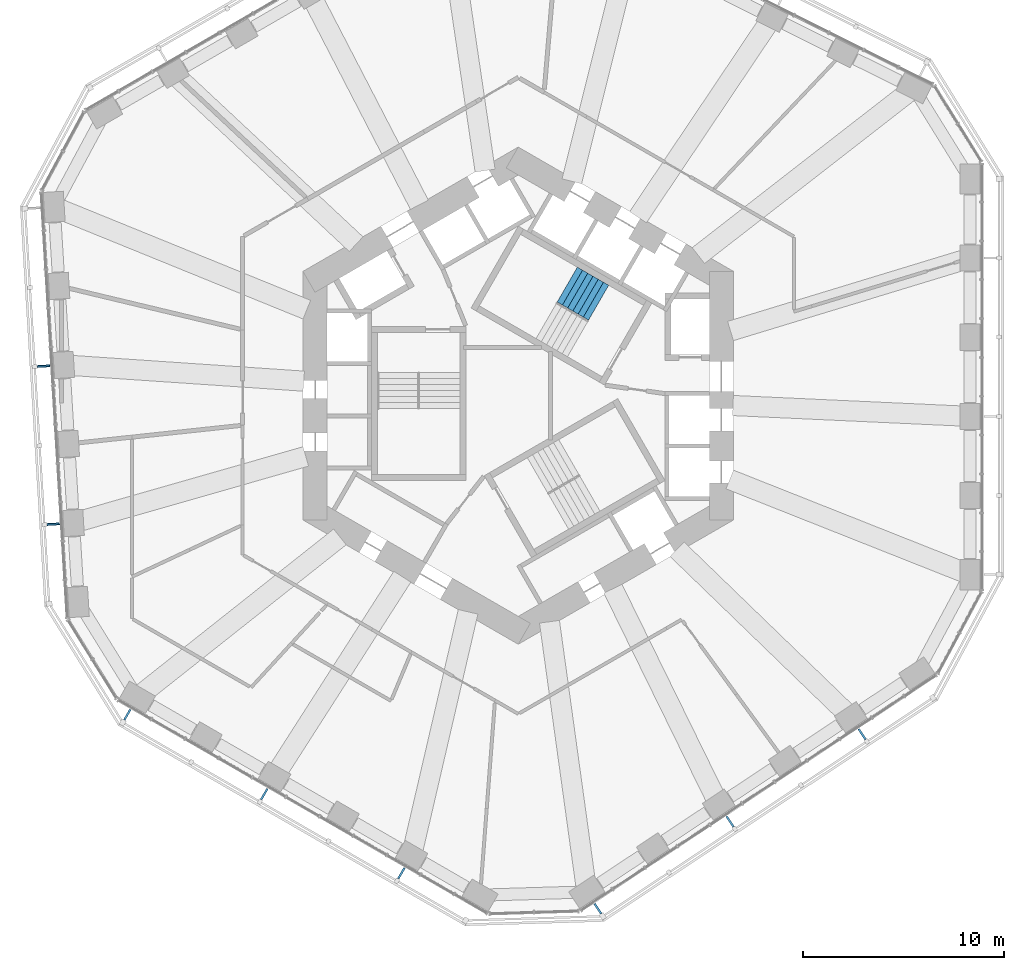
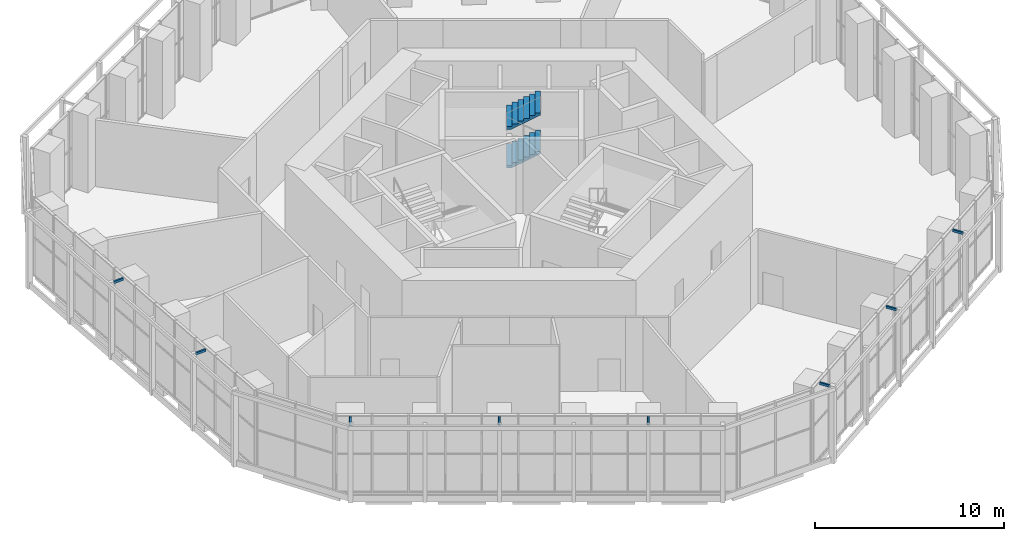
# One storey, part 17 of 19: 8 discrete accessories, 2 stair flights, 1 element without a shape of its own.
"""IFC4 building model written with IfcOpenShell, lengths in metres."""

from ifc_helpers import new_model, si_unit, direction, frame, origin, origin_2d, place, context, subcontext, project, spatial, rectangle, extrude, triangles, source, transform, mapped, material, type_object, element, aggregate, save


model = new_model("IFC4")

# Units and contexts
model_context = context("Model", 3, precision=1e-05, world=origin(), true_north=direction((0.0, 1.0)))
body_context = subcontext(model_context, "Body", "Model", "MODEL_VIEW")
ifc_project = project(units=[si_unit("LENGTHUNIT", "METRE"), si_unit("AREAUNIT", "SQUARE_METRE"), si_unit("VOLUMEUNIT", "CUBIC_METRE"), si_unit("PLANEANGLEUNIT", "RADIAN"), si_unit("MASSUNIT", "GRAM", prefix="KILO")], contexts=[model_context])

# Site, building, storey
site_placement = place(None, origin())
site = spatial("IfcSite", under=ifc_project, at=site_placement, CompositionType="ELEMENT")
building_placement = place(site_placement, origin())
building = spatial("IfcBuilding", under=site, at=building_placement, Name="Vanh Sen Convention Tower", CompositionType="ELEMENT")
storey_placement = place(building_placement, frame((0.0, 0.0, 39.0)))
storey = spatial("IfcBuildingStorey", under=building, at=storey_placement, Name="L06", CompositionType="ELEMENT", Elevation=39.0)

# Stair, stair flights
ifc_material_1 = material(Name="Concrete C50/60", Category="concrete")
stair_type = type_object("IfcStairType", Name="Exit stair ST1 28 risers at 178.6", PredefinedType="HALF_TURN_STAIR", material=ifc_material_1)
stair_placement = place(storey_placement, origin())
stair = element("IfcStair", 1, at=stair_placement, inside=storey, type_object=stair_type, Name="Exit stair ST1 L06", PredefinedType="HALF_TURN_STAIR")
ifc_material_2 = material(Name="Concrete C40/50", Category="concrete")
stair_flight_type = type_object("IfcStairFlightType", Name="Stair flight 2000", PredefinedType="STRAIGHT", material=ifc_material_2)
shared_shape = source(origin(), body_context, "Body", "Tessellation", [
    triangles([(0.244384765625, 1.0, 0.0), (0.0, 1.0, 0.0), (0.0, 1.0, 0.178466796875), (0.300048828125, 1.0, 0.178466796875), (0.300048828125, 1.0, 0.357177734375), (0.60009765625, 1.0, 0.357177734375), (0.60009765625, 1.0, 0.53564453125), (0.89990234375, 1.0, 0.53564453125), (0.89990234375, 1.0, 0.71435546875), (1.199951171875, 1.0, 0.71435546875), (1.199951171875, 1.0, 0.892822265625), (1.5, 1.0, 0.892822265625), (1.5, 1.0, 1.071533203125), (1.800048828125, 1.0, 1.071533203125), (1.800048828125, 1.0, 0.926025390625), (0.244384765625, -1.0, 0.0), (0.0, -1.0, 0.0), (0.0, -1.0, 0.178466796875), (0.300048828125, -1.0, 0.178466796875), (0.300048828125, -1.0, 0.357177734375), (0.60009765625, -1.0, 0.357177734375), (0.60009765625, -1.0, 0.53564453125), (0.89990234375, -1.0, 0.53564453125), (0.89990234375, -1.0, 0.71435546875), (1.199951171875, -1.0, 0.71435546875), (1.199951171875, -1.0, 0.892822265625), (1.5, -1.0, 0.892822265625), (1.5, -1.0, 1.071533203125), (1.800048828125, -1.0, 1.071533203125), (1.800048828125, -1.0, 0.926025390625), (0.0, 0.0400390625, 0.0), (0.0, 0.0390625, 0.0), (0.0, 0.0380859375, 0.0), (0.0, 0.037109375, 0.0), (0.0, 0.035888671875, 0.0), (0.0, 0.034912109375, 0.0), (0.0, 0.033935546875, 0.0), (0.0, 0.032958984375, 0.0), (0.0, 0.031982421875, 0.0), (0.0, 0.031005859375, 0.0), (0.0, 0.030029296875, 0.0), (0.0, 0.029052734375, 0.0), (0.0, 0.028076171875, 0.0), (0.0, 0.027099609375, 0.0), (0.0, 0.02587890625, 0.0), (0.0, 0.02490234375, 0.0), (0.0, 0.02392578125, 0.0), (0.0, 0.02294921875, 0.0), (0.0, 0.02197265625, 0.0), (0.0, 0.02099609375, 0.0), (0.0, 0.02001953125, 0.0), (0.0, 0.01904296875, 0.0), (0.0, 0.01806640625, 0.0), (0.0, 0.01708984375, 0.0), (0.0, 0.01611328125, 0.0), (0.0, 0.014892578125, 0.0), (0.0, 0.013916015625, 0.0), (0.0, 0.012939453125, 0.0), (0.0, 0.011962890625, 0.0), (0.0, 0.010986328125, 0.0), (0.0, 0.010009765625, 0.0), (0.0, 0.009033203125, 0.0), (0.0, 0.008056640625, 0.0), (0.0, 0.007080078125, 0.0), (0.0, 0.006103515625, 0.0), (0.0, 0.0048828125, 0.0), (0.0, 0.00390625, 0.0), (0.0, 0.0029296875, 0.0), (0.0, 0.001953125, 0.0), (0.0, 0.0009765625, 0.0), (0.0, 0.0, 0.0), (0.0, -0.0009765625, 0.0), (0.0, -0.001953125, 0.0), (0.0, -0.0029296875, 0.0), (0.0, -0.00390625, 0.0), (0.0, -0.0048828125, 0.0), (0.0, -0.006103515625, 0.0), (0.0, -0.007080078125, 0.0), (0.0, -0.008056640625, 0.0), (0.0, -0.009033203125, 0.0), (0.0, -0.010009765625, 0.0), (0.0, -0.010986328125, 0.0), (0.0, -0.011962890625, 0.0), (0.0, -0.012939453125, 0.0), (0.0, -0.013916015625, 0.0), (0.0, -0.014892578125, 0.0), (0.0, -0.01611328125, 0.0), (0.0, -0.01708984375, 0.0), (0.0, -0.01806640625, 0.0), (0.0, -0.01904296875, 0.0), (0.0, -0.02001953125, 0.0), (0.0, -0.02099609375, 0.0), (0.0, -0.02197265625, 0.0), (0.0, -0.02294921875, 0.0), (0.0, -0.02392578125, 0.0), (0.0, -0.02490234375, 0.0), (0.0, -0.02587890625, 0.0), (0.0, -0.027099609375, 0.0), (0.0, -0.028076171875, 0.0), (0.0, -0.029052734375, 0.0), (0.0, -0.030029296875, 0.0), (0.0, -0.031005859375, 0.0), (0.0, -0.031982421875, 0.0), (0.0, -0.032958984375, 0.0), (0.0, -0.033935546875, 0.0), (0.0, -0.034912109375, 0.0), (0.0, -0.035888671875, 0.0), (0.0, -0.037109375, 0.0), (0.0, -0.0380859375, 0.0), (0.0, -0.0390625, 0.0), (0.0, -0.0400390625, 0.0), (0.0, 0.0400390625, 0.178466796875), (0.0, 0.0390625, 0.178466796875), (0.0, 0.0380859375, 0.178466796875), (0.0, 0.037109375, 0.178466796875), (0.0, 0.035888671875, 0.178466796875), (0.0, 0.034912109375, 0.178466796875), (0.0, 0.033935546875, 0.178466796875), (0.0, 0.032958984375, 0.178466796875), (0.0, 0.031982421875, 0.178466796875), (0.0, 0.031005859375, 0.178466796875), (0.0, 0.030029296875, 0.178466796875), (0.0, 0.029052734375, 0.178466796875), (0.0, 0.028076171875, 0.178466796875), (0.0, 0.027099609375, 0.178466796875), (0.0, 0.02587890625, 0.178466796875), (0.0, 0.02490234375, 0.178466796875), (0.0, 0.02392578125, 0.178466796875), (0.0, 0.02294921875, 0.178466796875), (0.0, 0.02197265625, 0.178466796875), (0.0, 0.02099609375, 0.178466796875), (0.0, 0.02001953125, 0.178466796875), (0.0, 0.01904296875, 0.178466796875), (0.0, 0.01806640625, 0.178466796875), (0.0, 0.01708984375, 0.178466796875), (0.0, 0.01611328125, 0.178466796875), (0.0, 0.014892578125, 0.178466796875), (0.0, 0.013916015625, 0.178466796875), (0.0, 0.012939453125, 0.178466796875), (0.0, 0.011962890625, 0.178466796875), (0.0, 0.010986328125, 0.178466796875), (0.0, 0.010009765625, 0.178466796875), (0.0, 0.009033203125, 0.178466796875), (0.0, 0.008056640625, 0.178466796875), (0.0, 0.007080078125, 0.178466796875), (0.0, 0.006103515625, 0.178466796875), (0.0, 0.0048828125, 0.178466796875), (0.0, 0.00390625, 0.178466796875), (0.0, 0.0029296875, 0.178466796875), (0.0, 0.001953125, 0.178466796875), (0.0, 0.0009765625, 0.178466796875), (0.0, 0.0, 0.178466796875), (0.0, -0.0009765625, 0.178466796875), (0.0, -0.001953125, 0.178466796875), (0.0, -0.0029296875, 0.178466796875), (0.0, -0.00390625, 0.178466796875), (0.0, -0.0048828125, 0.178466796875), (0.0, -0.006103515625, 0.178466796875), (0.0, -0.007080078125, 0.178466796875), (0.0, -0.008056640625, 0.178466796875), (0.0, -0.009033203125, 0.178466796875), (0.0, -0.010009765625, 0.178466796875), (0.0, -0.010986328125, 0.178466796875), (0.0, -0.011962890625, 0.178466796875), (0.0, -0.012939453125, 0.178466796875), (0.0, -0.013916015625, 0.178466796875), (0.0, -0.014892578125, 0.178466796875), (0.0, -0.01611328125, 0.178466796875), (0.0, -0.01708984375, 0.178466796875), (0.0, -0.01806640625, 0.178466796875), (0.0, -0.01904296875, 0.178466796875), (0.0, -0.02001953125, 0.178466796875), (0.0, -0.02099609375, 0.178466796875), (0.0, -0.02197265625, 0.178466796875), (0.0, -0.02294921875, 0.178466796875), (0.0, -0.02392578125, 0.178466796875), (0.0, -0.02490234375, 0.178466796875), (0.0, -0.02587890625, 0.178466796875), (0.0, -0.027099609375, 0.178466796875), (0.0, -0.028076171875, 0.178466796875), (0.0, -0.029052734375, 0.178466796875), (0.0, -0.030029296875, 0.178466796875), (0.0, -0.031005859375, 0.178466796875), (0.0, -0.031982421875, 0.178466796875), (0.0, -0.032958984375, 0.178466796875), (0.0, -0.033935546875, 0.178466796875), (0.0, -0.034912109375, 0.178466796875), (0.0, -0.035888671875, 0.178466796875), (0.0, -0.037109375, 0.178466796875), (0.0, -0.0380859375, 0.178466796875), (0.0, -0.0390625, 0.178466796875), (0.0, -0.0400390625, 0.178466796875), (0.300048828125, 0.0, 0.178466796875), (0.300048828125, 0.0, 0.357177734375), (0.60009765625, 0.0, 0.357177734375), (0.60009765625, 0.0, 0.53564453125), (0.89990234375, 0.0, 0.53564453125), (0.89990234375, 0.0, 0.71435546875), (1.199951171875, 0.0, 0.71435546875), (1.199951171875, 0.0, 0.892822265625), (1.5, 0.0, 0.892822265625), (1.5, 0.0, 1.071533203125), (1.800048828125, 0.0400390625, 1.071533203125), (1.800048828125, 0.0390625, 1.071533203125), (1.800048828125, 0.0380859375, 1.071533203125), (1.800048828125, 0.037109375, 1.071533203125), (1.800048828125, 0.035888671875, 1.071533203125), (1.800048828125, 0.034912109375, 1.071533203125), (1.800048828125, 0.033935546875, 1.071533203125), (1.800048828125, 0.032958984375, 1.071533203125), (1.800048828125, 0.031982421875, 1.071533203125), (1.800048828125, 0.031005859375, 1.071533203125), (1.800048828125, 0.030029296875, 1.071533203125), (1.800048828125, 0.029052734375, 1.071533203125), (1.800048828125, 0.028076171875, 1.071533203125), (1.800048828125, 0.027099609375, 1.071533203125), (1.800048828125, 0.02587890625, 1.071533203125), (1.800048828125, 0.02490234375, 1.071533203125), (1.800048828125, 0.02392578125, 1.071533203125), (1.800048828125, 0.02294921875, 1.071533203125), (1.800048828125, 0.02197265625, 1.071533203125), (1.800048828125, 0.02099609375, 1.071533203125), (1.800048828125, 0.02001953125, 1.071533203125), (1.800048828125, 0.01904296875, 1.071533203125), (1.800048828125, 0.01806640625, 1.071533203125), (1.800048828125, 0.01708984375, 1.071533203125), (1.800048828125, 0.01611328125, 1.071533203125), (1.800048828125, 0.014892578125, 1.071533203125), (1.800048828125, 0.013916015625, 1.071533203125), (1.800048828125, 0.012939453125, 1.071533203125), (1.800048828125, 0.011962890625, 1.071533203125), (1.800048828125, 0.010986328125, 1.071533203125), (1.800048828125, 0.010009765625, 1.071533203125), (1.800048828125, 0.009033203125, 1.071533203125), (1.800048828125, 0.008056640625, 1.071533203125), (1.800048828125, 0.007080078125, 1.071533203125), (1.800048828125, 0.006103515625, 1.071533203125), (1.800048828125, 0.0048828125, 1.071533203125), (1.800048828125, 0.00390625, 1.071533203125), (1.800048828125, 0.0029296875, 1.071533203125), (1.800048828125, 0.001953125, 1.071533203125), (1.800048828125, 0.0009765625, 1.071533203125), (1.800048828125, 0.0, 1.071533203125), (1.800048828125, -0.0009765625, 1.071533203125), (1.800048828125, -0.001953125, 1.071533203125), (1.800048828125, -0.0029296875, 1.071533203125), (1.800048828125, -0.00390625, 1.071533203125), (1.800048828125, -0.0048828125, 1.071533203125), (1.800048828125, -0.006103515625, 1.071533203125), (1.800048828125, -0.007080078125, 1.071533203125), (1.800048828125, -0.008056640625, 1.071533203125), (1.800048828125, -0.009033203125, 1.071533203125), (1.800048828125, -0.010009765625, 1.071533203125), (1.800048828125, -0.010986328125, 1.071533203125), (1.800048828125, -0.011962890625, 1.071533203125), (1.800048828125, -0.012939453125, 1.071533203125), (1.800048828125, -0.013916015625, 1.071533203125), (1.800048828125, -0.014892578125, 1.071533203125), (1.800048828125, -0.01611328125, 1.071533203125), (1.800048828125, -0.01708984375, 1.071533203125), (1.800048828125, -0.01806640625, 1.071533203125), (1.800048828125, -0.01904296875, 1.071533203125), (1.800048828125, -0.02001953125, 1.071533203125), (1.800048828125, -0.02099609375, 1.071533203125), (1.800048828125, -0.02197265625, 1.071533203125), (1.800048828125, -0.02294921875, 1.071533203125), (1.800048828125, -0.02392578125, 1.071533203125), (1.800048828125, -0.02490234375, 1.071533203125), (1.800048828125, -0.02587890625, 1.071533203125), (1.800048828125, -0.027099609375, 1.071533203125), (1.800048828125, -0.028076171875, 1.071533203125), (1.800048828125, -0.029052734375, 1.071533203125), (1.800048828125, -0.030029296875, 1.071533203125), (1.800048828125, -0.031005859375, 1.071533203125), (1.800048828125, -0.031982421875, 1.071533203125), (1.800048828125, -0.032958984375, 1.071533203125), (1.800048828125, -0.033935546875, 1.071533203125), (1.800048828125, -0.034912109375, 1.071533203125), (1.800048828125, -0.035888671875, 1.071533203125), (1.800048828125, -0.037109375, 1.071533203125), (1.800048828125, -0.0380859375, 1.071533203125), (1.800048828125, -0.0390625, 1.071533203125), (1.800048828125, -0.0400390625, 1.071533203125), (1.800048828125, 0.0400390625, 0.926025390625), (1.800048828125, 0.0390625, 0.926025390625), (1.800048828125, 0.0380859375, 0.926025390625), (1.800048828125, 0.037109375, 0.926025390625), (1.800048828125, 0.035888671875, 0.926025390625), (1.800048828125, 0.034912109375, 0.926025390625), (1.800048828125, 0.033935546875, 0.926025390625), (1.800048828125, 0.032958984375, 0.926025390625), (1.800048828125, 0.031982421875, 0.926025390625), (1.800048828125, 0.031005859375, 0.926025390625), (1.800048828125, 0.030029296875, 0.926025390625), (1.800048828125, 0.029052734375, 0.926025390625), (1.800048828125, 0.028076171875, 0.926025390625), (1.800048828125, 0.027099609375, 0.926025390625), (1.800048828125, 0.02587890625, 0.926025390625), (1.800048828125, 0.02490234375, 0.926025390625), (1.800048828125, 0.02392578125, 0.926025390625), (1.800048828125, 0.02294921875, 0.926025390625), (1.800048828125, 0.02197265625, 0.926025390625), (1.800048828125, 0.02099609375, 0.926025390625), (1.800048828125, 0.02001953125, 0.926025390625), (1.800048828125, 0.01904296875, 0.926025390625), (1.800048828125, 0.01806640625, 0.926025390625), (1.800048828125, 0.01708984375, 0.926025390625), (1.800048828125, 0.01611328125, 0.926025390625), (1.800048828125, 0.014892578125, 0.926025390625), (1.800048828125, 0.013916015625, 0.926025390625), (1.800048828125, 0.012939453125, 0.926025390625), (1.800048828125, 0.011962890625, 0.926025390625), (1.800048828125, 0.010986328125, 0.926025390625), (1.800048828125, 0.010009765625, 0.926025390625), (1.800048828125, 0.009033203125, 0.926025390625), (1.800048828125, 0.008056640625, 0.926025390625), (1.800048828125, 0.007080078125, 0.926025390625), (1.800048828125, 0.006103515625, 0.926025390625), (1.800048828125, 0.0048828125, 0.926025390625), (1.800048828125, 0.00390625, 0.926025390625), (1.800048828125, 0.0029296875, 0.926025390625), (1.800048828125, 0.001953125, 0.926025390625), (1.800048828125, 0.0009765625, 0.926025390625), (1.800048828125, 0.0, 0.926025390625), (1.800048828125, -0.0009765625, 0.926025390625), (1.800048828125, -0.001953125, 0.926025390625), (1.800048828125, -0.0029296875, 0.926025390625), (1.800048828125, -0.00390625, 0.926025390625), (1.800048828125, -0.0048828125, 0.926025390625), (1.800048828125, -0.006103515625, 0.926025390625), (1.800048828125, -0.007080078125, 0.926025390625), (1.800048828125, -0.008056640625, 0.926025390625), (1.800048828125, -0.009033203125, 0.926025390625), (1.800048828125, -0.010009765625, 0.926025390625), (1.800048828125, -0.010986328125, 0.926025390625), (1.800048828125, -0.011962890625, 0.926025390625), (1.800048828125, -0.012939453125, 0.926025390625), (1.800048828125, -0.013916015625, 0.926025390625), (1.800048828125, -0.014892578125, 0.926025390625), (1.800048828125, -0.01611328125, 0.926025390625), (1.800048828125, -0.01708984375, 0.926025390625), (1.800048828125, -0.01806640625, 0.926025390625), (1.800048828125, -0.01904296875, 0.926025390625), (1.800048828125, -0.02001953125, 0.926025390625), (1.800048828125, -0.02099609375, 0.926025390625), (1.800048828125, -0.02197265625, 0.926025390625), (1.800048828125, -0.02294921875, 0.926025390625), (1.800048828125, -0.02392578125, 0.926025390625), (1.800048828125, -0.02490234375, 0.926025390625), (1.800048828125, -0.02587890625, 0.926025390625), (1.800048828125, -0.027099609375, 0.926025390625), (1.800048828125, -0.028076171875, 0.926025390625), (1.800048828125, -0.029052734375, 0.926025390625), (1.800048828125, -0.030029296875, 0.926025390625), (1.800048828125, -0.031005859375, 0.926025390625), (1.800048828125, -0.031982421875, 0.926025390625), (1.800048828125, -0.032958984375, 0.926025390625), (1.800048828125, -0.033935546875, 0.926025390625), (1.800048828125, -0.034912109375, 0.926025390625), (1.800048828125, -0.035888671875, 0.926025390625), (1.800048828125, -0.037109375, 0.926025390625), (1.800048828125, -0.0380859375, 0.926025390625), (1.800048828125, -0.0390625, 0.926025390625), (1.800048828125, -0.0400390625, 0.926025390625), (0.244384765625, 0.0, 0.0)], [[1, 2, 3], [1, 3, 4], [4, 5, 6], [1, 4, 6], [6, 7, 8], [1, 6, 8], [8, 9, 10], [1, 8, 10], [10, 11, 12], [1, 10, 12], [12, 13, 14], [1, 12, 14], [14, 15, 1], [16, 18, 17], [16, 19, 18], [19, 21, 20], [16, 21, 19], [21, 23, 22], [16, 23, 21], [23, 25, 24], [16, 25, 23], [25, 27, 26], [16, 27, 25], [27, 29, 28], [16, 29, 27], [29, 16, 30], [2, 112, 3], [2, 31, 112], [31, 113, 112], [31, 32, 113], [32, 114, 113], [32, 33, 114], [33, 115, 114], [33, 34, 115], [34, 116, 115], [34, 35, 116], [35, 117, 116], [35, 36, 117], [36, 118, 117], [36, 37, 118], [37, 119, 118], [37, 38, 119], [38, 120, 119], [38, 39, 120], [39, 121, 120], [39, 40, 121], [40, 122, 121], [40, 41, 122], [41, 123, 122], [41, 42, 123], [42, 124, 123], [42, 43, 124], [43, 125, 124], [43, 44, 125], [44, 126, 125], [44, 45, 126], [45, 127, 126], [45, 46, 127], [46, 128, 127], [46, 47, 128], [47, 129, 128], [47, 48, 129], [48, 130, 129], [48, 49, 130], [49, 131, 130], [49, 50, 131], [50, 132, 131], [50, 51, 132], [51, 133, 132], [51, 52, 133], [52, 134, 133], [52, 53, 134], [53, 135, 134], [53, 54, 135], [54, 136, 135], [54, 55, 136], [55, 137, 136], [55, 56, 137], [56, 138, 137], [56, 57, 138], [57, 139, 138], [57, 58, 139], [58, 140, 139], [58, 59, 140], [59, 141, 140], [59, 60, 141], [60, 142, 141], [60, 61, 142], [61, 143, 142], [61, 62, 143], [62, 144, 143], [62, 63, 144], [63, 145, 144], [63, 64, 145], [64, 146, 145], [64, 65, 146], [65, 147, 146], [65, 66, 147], [66, 148, 147], [66, 67, 148], [67, 149, 148], [67, 68, 149], [68, 150, 149], [68, 69, 150], [69, 151, 150], [69, 70, 151], [70, 152, 151], [70, 71, 152], [71, 72, 152], [152, 72, 153], [72, 73, 153], [153, 73, 154], [73, 74, 154], [154, 74, 155], [74, 75, 155], [155, 75, 156], [75, 76, 156], [156, 76, 157], [76, 77, 157], [157, 77, 158], [77, 78, 158], [158, 78, 159], [78, 79, 159], [159, 79, 160], [79, 80, 160], [160, 80, 161], [80, 81, 161], [161, 81, 162], [81, 82, 162], [162, 82, 163], [82, 83, 163], [163, 83, 164], [83, 84, 164], [164, 84, 165], [84, 85, 165], [165, 85, 166], [85, 86, 166], [166, 86, 167], [86, 87, 167], [167, 87, 168], [87, 88, 168], [168, 88, 169], [88, 89, 169], [169, 89, 170], [89, 90, 170], [170, 90, 171], [90, 91, 171], [171, 91, 172], [91, 92, 172], [172, 92, 173], [92, 93, 173], [173, 93, 174], [93, 94, 174], [174, 94, 175], [94, 95, 175], [175, 95, 176], [95, 96, 176], [176, 96, 177], [96, 97, 177], [177, 97, 178], [97, 98, 178], [178, 98, 179], [98, 99, 179], [179, 99, 180], [99, 100, 180], [180, 100, 181], [100, 101, 181], [181, 101, 182], [101, 102, 182], [182, 102, 183], [102, 103, 183], [183, 103, 184], [103, 104, 184], [184, 104, 185], [104, 105, 185], [185, 105, 186], [105, 106, 186], [186, 106, 187], [106, 107, 187], [187, 107, 188], [107, 108, 188], [188, 108, 189], [108, 109, 189], [189, 109, 190], [109, 110, 190], [190, 110, 191], [110, 111, 191], [191, 111, 192], [111, 17, 192], [192, 17, 18], [4, 3, 112], [4, 112, 113], [4, 113, 114], [4, 114, 115], [4, 115, 116], [4, 116, 117], [4, 117, 118], [4, 118, 119], [4, 119, 120], [4, 120, 121], [4, 121, 122], [4, 122, 123], [4, 123, 124], [4, 124, 125], [4, 125, 126], [4, 126, 127], [4, 127, 128], [4, 128, 129], [4, 129, 130], [4, 130, 131], [4, 131, 132], [4, 132, 133], [4, 133, 134], [4, 134, 135], [4, 135, 136], [4, 136, 137], [4, 137, 138], [4, 138, 139], [4, 139, 140], [4, 140, 141], [4, 141, 142], [4, 142, 143], [4, 143, 144], [4, 144, 145], [4, 145, 146], [4, 146, 147], [4, 147, 148], [4, 148, 149], [4, 149, 150], [4, 150, 151], [4, 151, 152], [19, 152, 153], [19, 153, 154], [19, 154, 155], [19, 155, 156], [19, 156, 157], [19, 157, 158], [19, 158, 159], [19, 159, 160], [19, 160, 161], [19, 161, 162], [19, 162, 163], [19, 163, 164], [19, 164, 165], [19, 165, 166], [19, 166, 167], [19, 167, 168], [19, 168, 169], [19, 169, 170], [19, 170, 171], [19, 171, 172], [19, 172, 173], [19, 173, 174], [19, 174, 175], [19, 175, 176], [19, 176, 177], [19, 177, 178], [19, 178, 179], [19, 179, 180], [19, 180, 181], [19, 181, 182], [19, 182, 183], [19, 183, 184], [19, 184, 185], [19, 185, 186], [19, 186, 187], [19, 187, 188], [19, 188, 189], [19, 189, 190], [19, 190, 191], [19, 191, 192], [19, 192, 18], [4, 152, 193], [19, 193, 152], [4, 194, 5], [4, 193, 194], [193, 19, 194], [194, 19, 20], [5, 195, 6], [5, 194, 195], [194, 20, 195], [195, 20, 21], [6, 196, 7], [6, 195, 196], [195, 21, 196], [196, 21, 22], [7, 197, 8], [7, 196, 197], [196, 22, 197], [197, 22, 23], [8, 198, 9], [8, 197, 198], [197, 23, 198], [198, 23, 24], [9, 199, 10], [9, 198, 199], [198, 24, 199], [199, 24, 25], [10, 200, 11], [10, 199, 200], [199, 25, 200], [200, 25, 26], [11, 201, 12], [11, 200, 201], [200, 26, 201], [201, 26, 27], [12, 202, 13], [12, 201, 202], [201, 27, 202], [202, 27, 28], [13, 203, 14], [13, 204, 203], [13, 205, 204], [13, 206, 205], [13, 207, 206], [13, 208, 207], [13, 209, 208], [13, 210, 209], [13, 211, 210], [13, 212, 211], [13, 213, 212], [13, 214, 213], [13, 215, 214], [13, 216, 215], [13, 217, 216], [13, 218, 217], [13, 219, 218], [13, 220, 219], [13, 221, 220], [13, 222, 221], [13, 223, 222], [13, 224, 223], [13, 225, 224], [13, 226, 225], [13, 227, 226], [13, 228, 227], [13, 229, 228], [13, 230, 229], [13, 231, 230], [13, 232, 231], [13, 233, 232], [13, 234, 233], [13, 235, 234], [13, 236, 235], [13, 237, 236], [13, 238, 237], [13, 239, 238], [13, 240, 239], [13, 241, 240], [13, 242, 241], [13, 243, 242], [28, 244, 243], [28, 245, 244], [28, 246, 245], [28, 247, 246], [28, 248, 247], [28, 249, 248], [28, 250, 249], [28, 251, 250], [28, 252, 251], [28, 253, 252], [28, 254, 253], [28, 255, 254], [28, 256, 255], [28, 257, 256], [28, 258, 257], [28, 259, 258], [28, 260, 259], [28, 261, 260], [28, 262, 261], [28, 263, 262], [28, 264, 263], [28, 265, 264], [28, 266, 265], [28, 267, 266], [28, 268, 267], [28, 269, 268], [28, 270, 269], [28, 271, 270], [28, 272, 271], [28, 273, 272], [28, 274, 273], [28, 275, 274], [28, 276, 275], [28, 277, 276], [28, 278, 277], [28, 279, 278], [28, 280, 279], [28, 281, 280], [28, 282, 281], [28, 283, 282], [28, 29, 283], [13, 202, 243], [28, 243, 202], [14, 284, 15], [14, 203, 284], [203, 285, 284], [203, 204, 285], [204, 286, 285], [204, 205, 286], [205, 287, 286], [205, 206, 287], [206, 288, 287], [206, 207, 288], [207, 289, 288], [207, 208, 289], [208, 290, 289], [208, 209, 290], [209, 291, 290], [209, 210, 291], [210, 292, 291], [210, 211, 292], [211, 293, 292], [211, 212, 293], [212, 294, 293], [212, 213, 294], [213, 295, 294], [213, 214, 295], [214, 296, 295], [214, 215, 296], [215, 297, 296], [215, 216, 297], [216, 298, 297], [216, 217, 298], [217, 299, 298], [217, 218, 299], [218, 300, 299], [218, 219, 300], [219, 301, 300], [219, 220, 301], [220, 302, 301], [220, 221, 302], [221, 303, 302], [221, 222, 303], [222, 304, 303], [222, 223, 304], [223, 305, 304], [223, 224, 305], [224, 306, 305], [224, 225, 306], [225, 307, 306], [225, 226, 307], [226, 308, 307], [226, 227, 308], [227, 309, 308], [227, 228, 309], [228, 310, 309], [228, 229, 310], [229, 311, 310], [229, 230, 311], [230, 312, 311], [230, 231, 312], [231, 313, 312], [231, 232, 313], [232, 314, 313], [232, 233, 314], [233, 315, 314], [233, 234, 315], [234, 316, 315], [234, 235, 316], [235, 317, 316], [235, 236, 317], [236, 318, 317], [236, 237, 318], [237, 319, 318], [237, 238, 319], [238, 320, 319], [238, 239, 320], [239, 321, 320], [239, 240, 321], [240, 322, 321], [240, 241, 322], [241, 323, 322], [241, 242, 323], [242, 324, 323], [242, 243, 324], [243, 244, 324], [324, 244, 325], [244, 245, 325], [325, 245, 326], [245, 246, 326], [326, 246, 327], [246, 247, 327], [327, 247, 328], [247, 248, 328], [328, 248, 329], [248, 249, 329], [329, 249, 330], [249, 250, 330], [330, 250, 331], [250, 251, 331], [331, 251, 332], [251, 252, 332], [332, 252, 333], [252, 253, 333], [333, 253, 334], [253, 254, 334], [334, 254, 335], [254, 255, 335], [335, 255, 336], [255, 256, 336], [336, 256, 337], [256, 257, 337], [337, 257, 338], [257, 258, 338], [338, 258, 339], [258, 259, 339], [339, 259, 340], [259, 260, 340], [340, 260, 341], [260, 261, 341], [341, 261, 342], [261, 262, 342], [342, 262, 343], [262, 263, 343], [343, 263, 344], [263, 264, 344], [344, 264, 345], [264, 265, 345], [345, 265, 346], [265, 266, 346], [346, 266, 347], [266, 267, 347], [347, 267, 348], [267, 268, 348], [348, 268, 349], [268, 269, 349], [349, 269, 350], [269, 270, 350], [350, 270, 351], [270, 271, 351], [351, 271, 352], [271, 272, 352], [352, 272, 353], [272, 273, 353], [353, 273, 354], [273, 274, 354], [354, 274, 355], [274, 275, 355], [355, 275, 356], [275, 276, 356], [356, 276, 357], [276, 277, 357], [357, 277, 358], [277, 278, 358], [358, 278, 359], [278, 279, 359], [359, 279, 360], [279, 280, 360], [360, 280, 361], [280, 281, 361], [361, 281, 362], [281, 282, 362], [362, 282, 363], [282, 283, 363], [363, 283, 364], [283, 29, 364], [364, 29, 30], [1, 15, 284], [1, 284, 285], [1, 285, 286], [1, 286, 287], [1, 287, 288], [1, 288, 289], [1, 289, 290], [1, 290, 291], [1, 291, 292], [1, 292, 293], [1, 293, 294], [1, 294, 295], [1, 295, 296], [1, 296, 297], [1, 297, 298], [1, 298, 299], [1, 299, 300], [1, 300, 301], [1, 301, 302], [1, 302, 303], [1, 303, 304], [1, 304, 305], [1, 305, 306], [1, 306, 307], [1, 307, 308], [1, 308, 309], [1, 309, 310], [1, 310, 311], [1, 311, 312], [1, 312, 313], [1, 313, 314], [1, 314, 315], [1, 315, 316], [1, 316, 317], [1, 317, 318], [1, 318, 319], [1, 319, 320], [1, 320, 321], [1, 321, 322], [1, 322, 323], [1, 323, 324], [16, 324, 325], [16, 325, 326], [16, 326, 327], [16, 327, 328], [16, 328, 329], [16, 329, 330], [16, 330, 331], [16, 331, 332], [16, 332, 333], [16, 333, 334], [16, 334, 335], [16, 335, 336], [16, 336, 337], [16, 337, 338], [16, 338, 339], [16, 339, 340], [16, 340, 341], [16, 341, 342], [16, 342, 343], [16, 343, 344], [16, 344, 345], [16, 345, 346], [16, 346, 347], [16, 347, 348], [16, 348, 349], [16, 349, 350], [16, 350, 351], [16, 351, 352], [16, 352, 353], [16, 353, 354], [16, 354, 355], [16, 355, 356], [16, 356, 357], [16, 357, 358], [16, 358, 359], [16, 359, 360], [16, 360, 361], [16, 361, 362], [16, 362, 363], [16, 363, 364], [16, 364, 30], [1, 324, 365], [16, 365, 324], [1, 31, 2], [1, 32, 31], [1, 33, 32], [1, 34, 33], [1, 35, 34], [1, 36, 35], [1, 37, 36], [1, 38, 37], [1, 39, 38], [1, 40, 39], [1, 41, 40], [1, 42, 41], [1, 43, 42], [1, 44, 43], [1, 45, 44], [1, 46, 45], [1, 47, 46], [1, 48, 47], [1, 49, 48], [1, 50, 49], [1, 51, 50], [1, 52, 51], [1, 53, 52], [1, 54, 53], [1, 55, 54], [1, 56, 55], [1, 57, 56], [1, 58, 57], [1, 59, 58], [1, 60, 59], [1, 61, 60], [1, 62, 61], [1, 63, 62], [1, 64, 63], [1, 65, 64], [1, 66, 65], [1, 67, 66], [1, 68, 67], [1, 69, 68], [1, 70, 69], [1, 71, 70], [16, 72, 71], [16, 73, 72], [16, 74, 73], [16, 75, 74], [16, 76, 75], [16, 77, 76], [16, 78, 77], [16, 79, 78], [16, 80, 79], [16, 81, 80], [16, 82, 81], [16, 83, 82], [16, 84, 83], [16, 85, 84], [16, 86, 85], [16, 87, 86], [16, 88, 87], [16, 89, 88], [16, 90, 89], [16, 91, 90], [16, 92, 91], [16, 93, 92], [16, 94, 93], [16, 95, 94], [16, 96, 95], [16, 97, 96], [16, 98, 97], [16, 99, 98], [16, 100, 99], [16, 101, 100], [16, 102, 101], [16, 103, 102], [16, 104, 103], [16, 105, 104], [16, 106, 105], [16, 107, 106], [16, 108, 107], [16, 109, 108], [16, 110, 109], [16, 111, 110], [16, 17, 111], [1, 365, 71], [16, 71, 365]], closed=True),
])
stair_flight_1_placement = place(storey_placement, frame((2.43701171875, 5.521240234375, 1.25), z_axis=(0.0, 0.0, 1.0), x_axis=(0.866025403784, -0.5, 0.0)))
stair_flight_1 = element("IfcStairFlight", 2, at=stair_flight_1_placement, type_object=stair_flight_type, Name="ST1 flight 2", NumberOfRisers=7, NumberOfTreads=6, PredefinedType="STRAIGHT", RiserHeight=0.178571429, TreadLength=0.3, context=body_context, shape_type="MappedRepresentation", body=[
    mapped(shared_shape, transform((0.0, 0.0, 0.0))),
])
stair_flight_2_placement = place(storey_placement, frame((2.43701171875, 5.521240234375, 3.75), z_axis=(0.0, 0.0, 1.0), x_axis=(0.866025403784, -0.5, 0.0)))
stair_flight_2 = element("IfcStairFlight", 3, at=stair_flight_2_placement, type_object=stair_flight_type, Name="ST1 flight 4", NumberOfRisers=7, NumberOfTreads=6, PredefinedType="STRAIGHT", RiserHeight=0.178571429, TreadLength=0.3, context=body_context, shape_type="MappedRepresentation", body=[
    mapped(shared_shape, transform((0.0, 0.0, 0.0))),
])
aggregate(stair, [stair_flight_1, stair_flight_2])

# Discrete accessories
ifc_material_3 = material(Name="Steel S355", Category="steel")
discrete_accessory_type = type_object("IfcDiscreteAccessoryType", Name="Fin bracket 100 x 150", PredefinedType="BRACKET", material=ifc_material_3)
for number, where, z_axis, x_axis, name in (
    (4, (-23.595947265625, 1.466796875, 4.800048828125), (0.0, 0.0, 1.0), (-0.998134798422, -0.061048539535, 0.0), "Fin bracket W-3 L06"),
    (5, (-23.115478515625, -6.3876953125, 4.800048828125), (0.0, 0.0, 1.0), (-0.998134798422, -0.061048539535, 0.0), "Fin bracket W-5 L06"),
):
    element("IfcDiscreteAccessory", number, at=place(storey_placement, frame(where, z_axis=z_axis, x_axis=x_axis)), inside=storey, type_object=discrete_accessory_type, Name=name, PredefinedType="BRACKET", context=body_context, shape_type="SweptSolid", body=[
        extrude(rectangle(XDim=0.625, YDim=0.10009765625, at=origin_2d()), origin(), (0.0, 0.0, 1.0), 0.14990234375),
    ])
discrete_accessory_1_placement = place(storey_placement, frame((-19.431884765625, -15.858642578125, 4.800048828125), z_axis=(0.0, 0.0, 1.0), x_axis=(-0.5, -0.866025403784, 0.0)))
element("IfcDiscreteAccessory", 6, at=discrete_accessory_1_placement, inside=storey, type_object=discrete_accessory_type, Name="Fin bracket SW-1 L06", PredefinedType="BRACKET", context=body_context, shape_type="SweptSolid", body=[
    extrude(rectangle(XDim=0.60009765625, YDim=0.10009765625, at=origin_2d()), origin(), (0.0, 0.0, 1.0), 0.14990234375),
])
for number, where, z_axis, x_axis, name in (
    (7, (-12.623291015625, -19.80419921875, 4.800048828125), (0.0, 0.0, 1.0), (-0.5, -0.866025403784, 0.0), "Fin bracket SW-3 L06"),
    (8, (-5.808349609375, -23.73876953125, 4.800048828125), (0.0, 0.0, 1.0), (-0.5, -0.866025403784, 0.0), "Fin bracket SW-5 L06"),
):
    element("IfcDiscreteAccessory", number, at=place(storey_placement, frame(where, z_axis=z_axis, x_axis=x_axis)), inside=storey, type_object=discrete_accessory_type, Name=name, PredefinedType="BRACKET", context=body_context, shape_type="SweptSolid", body=[
        extrude(rectangle(XDim=0.625, YDim=0.10009765625, at=origin_2d()), origin(), (0.0, 0.0, 1.0), 0.14990234375),
    ])
discrete_accessory_2_placement = place(storey_placement, frame((3.958740234375, -25.5009765625, 4.800048828125), z_axis=(0.0, 0.0, 1.0), x_axis=(0.551936985312, -0.833885822067, 0.0)))
element("IfcDiscreteAccessory", 9, at=discrete_accessory_2_placement, inside=storey, type_object=discrete_accessory_type, Name="Fin bracket SE-1 L06", PredefinedType="BRACKET", context=body_context, shape_type="SweptSolid", body=[
    extrude(rectangle(XDim=0.60009765625, YDim=0.10009765625, at=origin_2d()), origin(), (0.0, 0.0, 1.0), 0.14990234375),
])
for number, where, z_axis, x_axis, name in (
    (10, (10.527587890625, -21.168212890625, 4.800048828125), (0.0, 0.0, 1.0), (0.551936985312, -0.833885822067, 0.0), "Fin bracket SE-3 L06"),
    (11, (17.089599609375, -16.824951171875, 4.800048828125), (0.0, 0.0, 1.0), (0.551936985312, -0.833885822067, 0.0), "Fin bracket SE-5 L06"),
):
    element("IfcDiscreteAccessory", number, at=place(storey_placement, frame(where, z_axis=z_axis, x_axis=x_axis)), inside=storey, type_object=discrete_accessory_type, Name=name, PredefinedType="BRACKET", context=body_context, shape_type="SweptSolid", body=[
        extrude(rectangle(XDim=0.625, YDim=0.10009765625, at=origin_2d()), origin(), (0.0, 0.0, 1.0), 0.14990234375),
    ])

save(model, "model.ifc")
